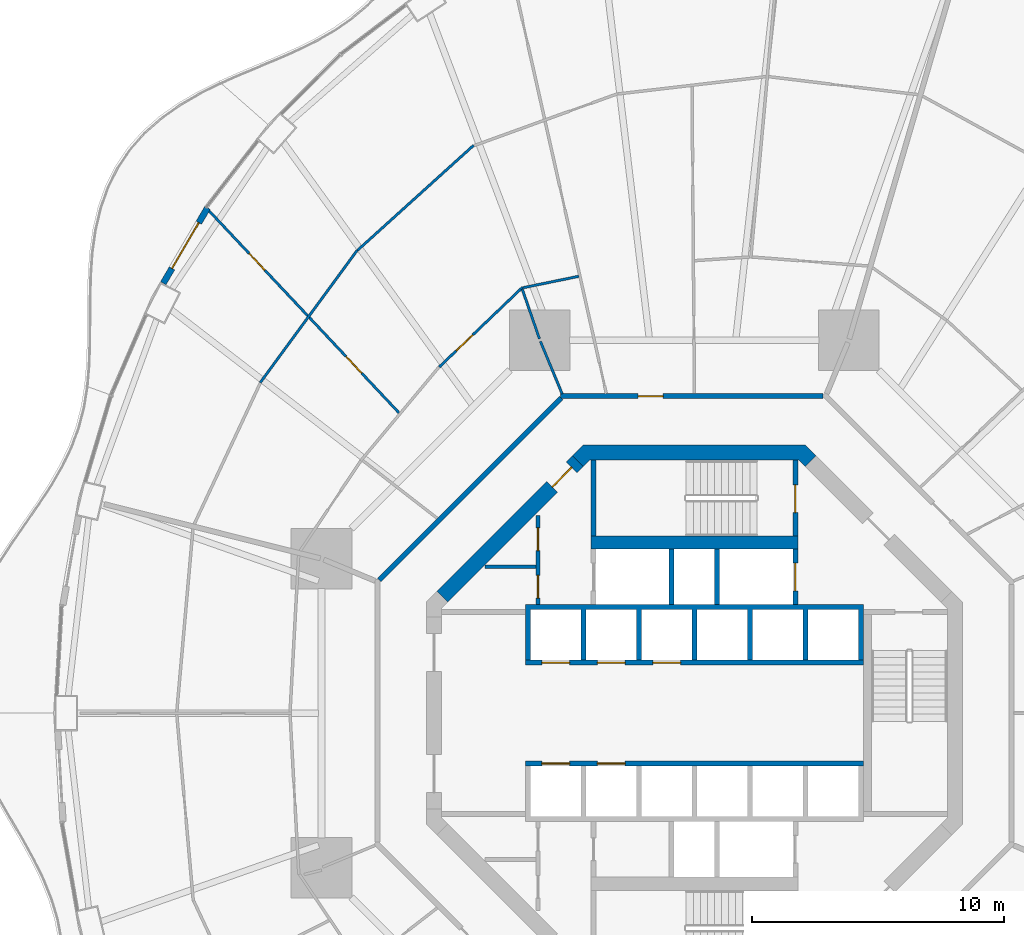
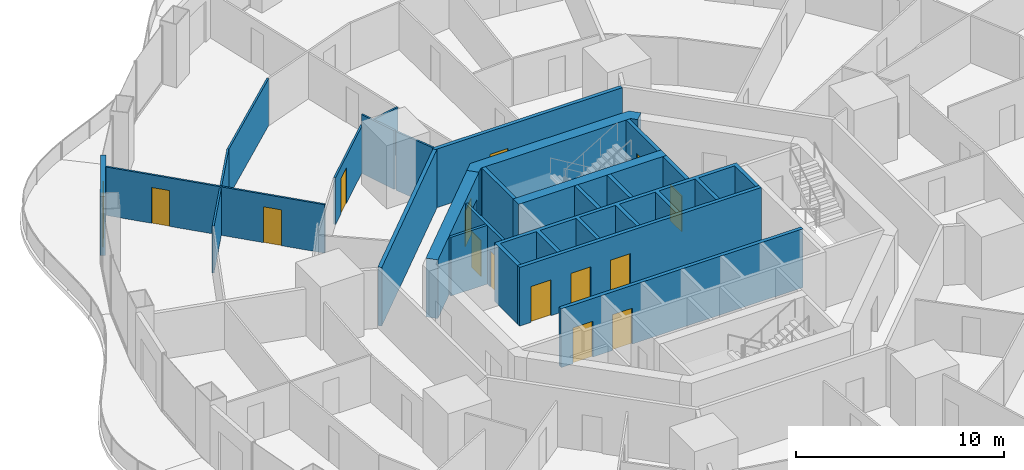
# One storey, part 17 of 22: 23 walls, 15 doors, 15 openings.
"""IFC4 building model written with IfcOpenShell, lengths in metres."""

import ifcopenshell
import ifcopenshell.guid

model = None  # the IFC model being written
_history = None  # IfcOwnerHistory: only IFC2X3 demands one
_inside = {}  # id of a spatial element -> (the spatial element, [elements in it])
_under = {}  # id of a project, library or spatial element -> (it, [spatial elements below it])
_declared = {}  # id of a project -> (the project, [libraries it declares])
_typed = {}  # id of a type object -> (the type object, [elements of that type])
_made_of = {}  # id of a material, layer set ... -> (it, [elements and type objects made of it])


def new_model(schema):
    """Start an empty IFC model of exactly this schema.

    Asked for "IFC4X3", IfcOpenShell would pick the latest addendum, in which some entities
    have other attributes; the version numbers below select the first issue.
    IFC2X3 requires an IfcOwnerHistory on every rooted entity: one is made here for all.
    """
    global model, _history
    if schema == "IFC4X3":
        model = ifcopenshell.file(schema_version=(4, 3, 0, 0))
    else:
        model = ifcopenshell.file(schema=schema)
    _inside.clear()
    _under.clear()
    _declared.clear()
    _typed.clear()
    _made_of.clear()
    _history = None
    if model.schema == "IFC2X3":
        org = make("IfcOrganization", Name="unknown")
        user = make(
            "IfcPersonAndOrganization",
            ThePerson=make("IfcPerson", FamilyName="unknown"),
            TheOrganization=org,
        )
        app = make(
            "IfcApplication",
            ApplicationDeveloper=org,
            Version="unknown",
            ApplicationFullName="unknown",
            ApplicationIdentifier="unknown",
        )
        _history = make(
            "IfcOwnerHistory",
            OwningUser=user,
            OwningApplication=app,
            ChangeAction="ADDED",
            CreationDate=0,
        )
    return model


def make(cls, **values):
    """One entity of the class cls with the attributes given. An attribute that is None is left unset."""
    return model.create_entity(
        cls, **{name: value for name, value in values.items() if value is not None}
    )


def rooted(cls, **values):
    """An entity with a GlobalId (a new one), such as an element, a storey or a relation."""
    return make(cls, GlobalId=ifcopenshell.guid.new(), OwnerHistory=_history, **values)


def si_unit(unit_type, name, prefix=None):
    """IfcSIUnit, for example si_unit("LENGTHUNIT", "METRE", prefix="MILLI")."""
    return make("IfcSIUnit", UnitType=unit_type, Prefix=prefix, Name=name)


def assignment(units):
    """IfcUnitAssignment: the units of a project."""
    return None if units is None else make("IfcUnitAssignment", Units=units)


def point(xyz):
    """IfcCartesianPoint."""
    return None if xyz is None else make("IfcCartesianPoint", Coordinates=xyz)


def direction(xyz):
    """IfcDirection."""
    return None if xyz is None else make("IfcDirection", DirectionRatios=xyz)


def frame(location, z_axis=None, x_axis=None):
    """IfcAxis2Placement3D, a coordinate frame: its origin and axes. An axis left out is left unset."""
    return make(
        "IfcAxis2Placement3D",
        Location=point(location),
        Axis=direction(z_axis),
        RefDirection=direction(x_axis),
    )


def frame_2d(location, x_axis=None):
    """IfcAxis2Placement2D, a coordinate frame in the plane: its origin and x axis."""
    return make(
        "IfcAxis2Placement2D", Location=point(location), RefDirection=direction(x_axis)
    )


def origin():
    """The frame at (0, 0, 0) with its axes left unset."""
    return frame((0.0, 0.0, 0.0))


def place(relative_to, where):
    """IfcLocalPlacement: puts the frame where relative to a parent placement (None: the world)."""
    return make(
        "IfcLocalPlacement", PlacementRelTo=relative_to, RelativePlacement=where
    )


def context(
    kind, dimensions, precision=None, world=None, true_north=None, identifier=None
):
    """IfcGeometricRepresentationContext, for example the 3D "Model" context."""
    return make(
        "IfcGeometricRepresentationContext",
        ContextIdentifier=identifier,
        ContextType=kind,
        CoordinateSpaceDimension=dimensions,
        Precision=precision,
        WorldCoordinateSystem=world,
        TrueNorth=true_north,
    )


def subcontext(parent, identifier, kind, view, scale=None):
    """IfcGeometricRepresentationSubContext, for example "Body" below "Model"."""
    return make(
        "IfcGeometricRepresentationSubContext",
        ContextIdentifier=identifier,
        ContextType=kind,
        ParentContext=parent,
        TargetScale=scale,
        TargetView=view,
    )


def project(units=None, contexts=None):
    """IfcProject with its units and contexts."""
    return rooted(
        "IfcProject",
        Name="project",
        RepresentationContexts=contexts,
        UnitsInContext=assignment(units),
    )


def spatial(cls, under=None, at=None, **own):
    """A site, building, storey or space (cls), placed at a placement, below another one or the project."""
    s = rooted(cls, ObjectPlacement=at, **own)
    if under is not None:
        _under.setdefault(under.id(), (under, []))[1].append(s)
    return s


def polyline(points):
    """IfcPolyline through the points."""
    return make("IfcPolyline", Points=[point(p) for p in points])


def profile(cls, at=None, kind="AREA", **sizes):
    """A parametric profile (cls). Its sizes go by their IFC names, for example OverallWidth=200.0."""
    return make(cls, ProfileType=kind, Position=at, **sizes)


def rectangle(**sizes):
    """IfcRectangleProfileDef."""
    return profile("IfcRectangleProfileDef", **sizes)


def outline(outer, holes=None, kind="AREA"):
    """IfcArbitraryClosedProfileDef: a profile drawn as a closed curve; with holes, ...WithVoids."""
    if holes is None:
        return make("IfcArbitraryClosedProfileDef", ProfileType=kind, OuterCurve=outer)
    return make(
        "IfcArbitraryProfileDefWithVoids",
        ProfileType=kind,
        OuterCurve=outer,
        InnerCurves=holes,
    )


def extrude(swept, where, along, depth):
    """IfcExtrudedAreaSolid: the profile swept, set in the frame where, extruded along a direction by depth."""
    return make(
        "IfcExtrudedAreaSolid",
        SweptArea=swept,
        Position=where,
        ExtrudedDirection=direction(along),
        Depth=depth,
    )


def shape(context_of_items, identifier, shape_type, items):
    """IfcShapeRepresentation: the items that make up one representation, for example the "Body"."""
    return make(
        "IfcShapeRepresentation",
        ContextOfItems=context_of_items,
        RepresentationIdentifier=identifier,
        RepresentationType=shape_type,
        Items=items,
    )


def material(Name=None, Category=None):
    """IfcMaterial."""
    return make("IfcMaterial", Name=Name, Category=Category)


def layer(
    of_material, thickness, ventilated=None, Name=None, Category=None, Priority=None
):
    """IfcMaterialLayer: one layer of a wall or slab, of a material (None: an air gap)."""
    return make(
        "IfcMaterialLayer",
        Material=of_material,
        LayerThickness=thickness,
        IsVentilated=ventilated,
        Name=Name,
        Category=Category,
        Priority=Priority,
    )


def layer_set(layers, Name=None):
    """IfcMaterialLayerSet."""
    return make("IfcMaterialLayerSet", MaterialLayers=layers, LayerSetName=Name)


def made_of(thing, what):
    """Note that an element or type object is made of a material, layer set ...; save() writes the relation."""
    if what is not None:
        _made_of.setdefault(what.id(), (what, []))[1].append(thing)
    return thing


def type_object(cls, material=None, **own):
    """A type object (cls), such as IfcWallType, which elements share."""
    return made_of(rooted(cls, **own), material)


def element(
    cls,
    number,
    at=None,
    inside=None,
    cuts=None,
    type_object=None,
    material=None,
    context=None,
    identifier="Body",
    shape_type=None,
    held_by="IfcProductDefinitionShape",
    body=None,
    shapes=None,
    **own,
):
    """One element of the class cls, such as IfcWall. Its Tag is "e" and its number.

    at: its placement. inside: the storey or other place that contains it. cuts: it is an
    opening in that element (IfcRelVoidsElement). A single representation is given by context,
    identifier, shape_type and body (its items); several are given by shapes. held_by: the class
    of the entity that holds the representations. save() writes the other relations.
    """
    e = rooted(cls, Tag="e%d" % number, ObjectPlacement=at, **own)
    if body is not None:
        shapes = [shape(context, identifier, shape_type, body)]
    if shapes is not None:
        e.Representation = make(held_by, Representations=shapes)
    if inside is not None:
        _inside.setdefault(inside.id(), (inside, []))[1].append(e)
    if cuts is not None:
        rooted(
            "IfcRelVoidsElement", RelatingBuildingElement=cuts, RelatedOpeningElement=e
        )
    if type_object is not None:
        _typed.setdefault(type_object.id(), (type_object, []))[1].append(e)
    return made_of(e, material)


def fill(opening, filler):
    """IfcRelFillsElement: the door or window that sits in an opening."""
    return rooted(
        "IfcRelFillsElement",
        RelatingOpeningElement=opening,
        RelatedBuildingElement=filler,
    )


def aggregate(whole, parts):
    """IfcRelAggregates: a whole, such as a stair, and the parts it consists of."""
    return rooted("IfcRelAggregates", RelatingObject=whole, RelatedObjects=parts)


def save(model, path):
    """Write the relations noted so far, then the file.

    IfcRelAggregates (storeys below a building ...), IfcRelContainedInSpatialStructure (elements
    in a storey), IfcRelDefinesByType, IfcRelAssociatesMaterial and IfcRelDeclares: one each for
    every whole, place, type object, material and project.
    """
    for whole, parts in _under.values():
        aggregate(whole, parts)
    for where, things in _inside.values():
        rooted(
            "IfcRelContainedInSpatialStructure",
            RelatedElements=things,
            RelatingStructure=where,
        )
    for kind, things in _typed.values():
        rooted("IfcRelDefinesByType", RelatedObjects=things, RelatingType=kind)
    for what, things in _made_of.values():
        rooted("IfcRelAssociatesMaterial", RelatedObjects=things, RelatingMaterial=what)
    for by, libraries in _declared.values():
        rooted("IfcRelDeclares", RelatingContext=by, RelatedDefinitions=libraries)
    model.write(path)


model = new_model("IFC4")

# Units and contexts
model_context = context("Model", 3, precision=1e-05, world=origin(), true_north=direction((0.0, 1.0)))
body_context = subcontext(model_context, "Body", "Model", "MODEL_VIEW")
ifc_project = project(units=[si_unit("LENGTHUNIT", "METRE"), si_unit("AREAUNIT", "SQUARE_METRE"), si_unit("VOLUMEUNIT", "CUBIC_METRE"), si_unit("PLANEANGLEUNIT", "RADIAN"), si_unit("MASSUNIT", "GRAM", prefix="KILO")], contexts=[model_context])

# Site, building, storey
site_placement = place(None, origin())
site = spatial("IfcSite", under=ifc_project, at=site_placement, CompositionType="ELEMENT")
building_placement = place(site_placement, origin())
building = spatial("IfcBuilding", under=site, at=building_placement, Name="Nagisa Residences", CompositionType="ELEMENT")
storey_placement = place(building_placement, frame((0.0, 0.0, 34.39990234375)))
storey = spatial("IfcBuildingStorey", under=building, at=storey_placement, Name="L07", CompositionType="ELEMENT", Elevation=34.39990234375)

# Wall, opening, door
ifc_material_1 = material(Name="Gypsum board on steel studs", Category="steel")
ifc_layer_1 = layer(ifc_material_1, 0.199951171875)
ifc_layer_set_1 = layer_set([ifc_layer_1], Name="Apartment entry wall EI60 200")
wall_type_1 = type_object("IfcWallType", Name="Apartment entry wall EI60 200", PredefinedType="PARTITIONING", material=ifc_layer_set_1)
wall_1_placement = place(storey_placement, frame((5.1044921875, 12.564697265625, 0.0), z_axis=(0.0, 0.0, 1.0), x_axis=(-1.0, 0.0, 0.0)))
wall_1 = element("IfcWall", 1, at=wall_1_placement, inside=storey, type_object=wall_type_1, Name="wall:L07:u10", PredefinedType="PARTITIONING", context=body_context, shape_type="SweptSolid", body=[
    extrude(rectangle(XDim=10.408935546875, YDim=0.199951171875, at=frame_2d((5.20458984375, 0.0))), origin(), (0.0, 0.0, 1.0), 3.440185546875),
])
opening_1_placement = place(wall_1_placement, frame((6.33935546875, 0.0, 0.0)))
opening_1 = element("IfcOpeningElement", 2, at=opening_1_placement, cuts=wall_1, Name="Opening L07-U15", PredefinedType="OPENING", context=body_context, shape_type="SweptSolid", body=[
    extrude(rectangle(XDim=1.0, YDim=2.10009765625, at=frame_2d((0.5, 1.050048828125))), frame((0.0, 0.10986328125, 0.0), z_axis=(0.0, -1.0, 0.0), x_axis=(1.0, 0.0, 0.0)), (0.0, 0.0, 1.0), 0.219970703125),
])
ifc_material_2 = material(Name="Timber fire door set", Category="wood")
door_type_1 = type_object("IfcDoorType", Name="Apartment entry door FD30S 1000x2100", OperationType="NOTDEFINED", PredefinedType="DOOR", material=ifc_material_2)
door_1_placement = place(opening_1_placement, frame((1.0, 0.0, 0.0), x_axis=(-1.0, 0.0, 0.0)))
door_1 = element("IfcDoor", 3, at=door_1_placement, inside=storey, type_object=door_type_1, Name="Entry door, Apartment 07B", OperationType="SINGLE_SWING_RIGHT", OverallHeight=2.10009765625, OverallWidth=1.0, PredefinedType="DOOR", context=body_context, shape_type="SweptSolid", body=[
    extrude(rectangle(XDim=1.0, YDim=2.10009765625, at=frame_2d((0.5, 1.050048828125))), frame((0.0, 0.02490234375, 0.0), z_axis=(0.0, -1.0, 0.0), x_axis=(1.0, 0.0, 0.0)), (0.0, 0.0, 1.0), 0.050048828125),
])
fill(opening_1, door_1)

# Walls
wall_2_placement = place(storey_placement, frame((-5.275146484375, 12.494140625, 0.0), z_axis=(0.0, 0.0, 1.0), x_axis=(-0.707106781187, -0.707106781187, 0.0)))
element("IfcWall", 4, at=wall_2_placement, inside=storey, type_object=wall_type_1, Name="wall:L07:u11", PredefinedType="PARTITIONING", context=body_context, shape_type="SweptSolid", body=[
    extrude(rectangle(XDim=10.209228515625, YDim=0.199951171875, at=frame_2d((5.1044921875, 0.0))), origin(), (0.0, 0.0, 1.0), 3.440185546875),
])
ifc_material_3 = material(Name="Gypsum board on steel studs", Category="steel")
ifc_layer_2 = layer(ifc_material_3, 0.10009765625)
ifc_layer_set_2 = layer_set([ifc_layer_2], Name="Apartment partition 100")
wall_type_2 = type_object("IfcWallType", Name="Apartment partition 100", PredefinedType="PARTITIONING", material=ifc_layer_set_2)
wall_3_placement = place(storey_placement, frame((-4.580322265625, 17.315185546875, 0.0), z_axis=(0.0, 0.0, 1.0), x_axis=(-0.979581941859, -0.201045316246, 0.0)))
element("IfcWall", 5, at=wall_3_placement, inside=storey, type_object=wall_type_2, Name="wall:L07:u45", PredefinedType="PARTITIONING", context=body_context, shape_type="SweptSolid", body=[
    extrude(rectangle(XDim=2.25634765625, YDim=0.10009765625, at=frame_2d((1.128173828125, 0.0))), origin(), (0.0, 0.0, 1.0), 2.756103515625),
])
wall_4_placement = place(storey_placement, frame((-5.24267578125, 12.6572265625, 0.0), z_axis=(0.0, 0.0, 1.0), x_axis=(-0.382719158442, 0.923864733477, 0.0)))
element("IfcWall", 6, at=wall_4_placement, inside=storey, type_object=wall_type_2, Name="wall:L07:u46", PredefinedType="PARTITIONING", context=body_context, shape_type="SweptSolid", body=[
    extrude(rectangle(XDim=2.25, YDim=0.10009765625, at=frame_2d((1.125, 0.0))), origin(), (0.0, 0.0, 1.0), 3.440185546875),
])
wall_5_placement = place(storey_placement, frame((-6.139404296875, 14.829833984375, 0.0), z_axis=(0.0, 0.0, 1.0), x_axis=(-0.327246993321, 0.944938836837, 0.0)))
element("IfcWall", 7, at=wall_5_placement, inside=storey, type_object=wall_type_2, Name="wall:L07:u47", PredefinedType="PARTITIONING", context=body_context, shape_type="SweptSolid", body=[
    extrude(rectangle(XDim=2.089599609375, YDim=0.10009765625, at=frame_2d((1.044921875, 0.0))), origin(), (0.0, 0.0, 1.0), 3.440185546875),
])

# Wall, opening, door
wall_6_placement = place(storey_placement, frame((-6.803466796875, 16.88623046875, 0.0), z_axis=(0.0, 0.0, 1.0), x_axis=(-0.722763212502, -0.69109575216, 0.0)))
wall_6 = element("IfcWall", 8, at=wall_6_placement, inside=storey, type_object=wall_type_2, Name="wall:L07:u48", PredefinedType="PARTITIONING", context=body_context, shape_type="SweptSolid", body=[
    extrude(rectangle(XDim=4.587158203125, YDim=0.10009765625, at=frame_2d((2.29345703125, 0.0))), origin(), (0.0, 0.0, 1.0), 2.756103515625),
])
opening_2_placement = place(wall_6_placement, frame((2.74951171875, 0.0, 0.0)))
opening_2 = element("IfcOpeningElement", 9, at=opening_2_placement, cuts=wall_6, Name="Opening L07-U26", PredefinedType="OPENING", context=body_context, shape_type="SweptSolid", body=[
    extrude(rectangle(XDim=0.89990234375, YDim=2.10009765625, at=frame_2d((0.449951171875, 1.050048828125))), frame((0.0, 0.06005859375, 0.0), z_axis=(0.0, -1.0, 0.0), x_axis=(1.0, 0.0, 0.0)), (0.0, 0.0, 1.0), 0.1201171875),
])
ifc_material_4 = material(Name="Timber door set", Category="wood")
door_type_2 = type_object("IfcDoorType", Name="Apartment door 900x2100", OperationType="NOTDEFINED", PredefinedType="DOOR", material=ifc_material_4)
door_2_placement = place(opening_2_placement, origin())
door_2 = element("IfcDoor", 10, at=door_2_placement, inside=storey, type_object=door_type_2, Name="Door to store, Apartment 07B", OperationType="SINGLE_SWING_RIGHT", OverallHeight=2.10009765625, OverallWidth=0.89990234375, PredefinedType="DOOR", context=body_context, shape_type="SweptSolid", body=[
    extrude(rectangle(XDim=0.89990234375, YDim=2.10009765625, at=frame_2d((0.449951171875, 1.050048828125))), frame((0.0, 0.02490234375, 0.0), z_axis=(0.0, -1.0, 0.0), x_axis=(1.0, 0.0, 0.0)), (0.0, 0.0, 1.0), 0.050048828125),
])
fill(opening_2, door_2)

# Walls
wall_7_placement = place(storey_placement, frame((-8.749267578125, 22.5078125, 0.0), z_axis=(0.0, 0.0, 1.0), x_axis=(-0.741720189244, -0.670709445936, 0.0)))
element("IfcWall", 11, at=wall_7_placement, inside=storey, type_object=wall_type_2, Name="wall:L07:u49", PredefinedType="PARTITIONING", context=body_context, shape_type="SweptSolid", body=[
    extrude(rectangle(XDim=6.209228515625, YDim=0.10009765625, at=frame_2d((3.1044921875, 0.0))), origin(), (0.0, 0.0, 1.0), 2.756103515625),
])
wall_8_placement = place(storey_placement, frame((-13.3623046875, 18.35009765625, 0.0), z_axis=(0.0, 0.0, 1.0), x_axis=(-0.591191311491, -0.806531359104, 0.0)))
element("IfcWall", 12, at=wall_8_placement, inside=storey, type_object=wall_type_2, Name="wall:L07:u51", PredefinedType="PARTITIONING", context=body_context, shape_type="SweptSolid", body=[
    extrude(rectangle(XDim=6.510009765625, YDim=0.10009765625, at=frame_2d((3.2548828125, 0.0))), origin(), (0.0, 0.0, 1.0), 2.756103515625),
])

# Wall, openings, doors
wall_9_placement = place(storey_placement, frame((-11.706787109375, 11.89990234375, 0.0), z_axis=(0.0, 0.0, 1.0), x_axis=(-0.685030806147, 0.728514100501, 0.0)))
wall_9 = element("IfcWall", 13, at=wall_9_placement, inside=storey, type_object=wall_type_2, Name="wall:L07:u52", PredefinedType="PARTITIONING", context=body_context, shape_type="SweptSolid", body=[
    extrude(rectangle(XDim=11.201171875, YDim=0.10009765625, at=frame_2d((5.6005859375, 0.0))), origin(), (0.0, 0.0, 1.0), 2.837158203125),
])
opening_3_placement = place(wall_9_placement, frame((2.16943359375, 0.0, 0.0)))
opening_3 = element("IfcOpeningElement", 14, at=opening_3_placement, cuts=wall_9, Name="Opening L07-U21", PredefinedType="OPENING", context=body_context, shape_type="SweptSolid", body=[
    extrude(rectangle(XDim=0.89990234375, YDim=2.10009765625, at=frame_2d((0.449951171875, 1.050048828125))), frame((0.0, 0.06005859375, 0.0), z_axis=(0.0, -1.0, 0.0), x_axis=(1.0, 0.0, 0.0)), (0.0, 0.0, 1.0), 0.1201171875),
])
opening_4_placement = place(wall_9_placement, frame((7.77001953125, 0.0, 0.0)))
opening_4 = element("IfcOpeningElement", 15, at=opening_4_placement, cuts=wall_9, Name="Opening L07-U25", PredefinedType="OPENING", context=body_context, shape_type="SweptSolid", body=[
    extrude(rectangle(XDim=0.89990234375, YDim=2.10009765625, at=frame_2d((0.449951171875, 1.050048828125))), frame((0.0, 0.06005859375, 0.0), z_axis=(0.0, -1.0, 0.0), x_axis=(1.0, 0.0, 0.0)), (0.0, 0.0, 1.0), 0.1201171875),
])
door_3_placement = place(opening_3_placement, origin())
door_3 = element("IfcDoor", 16, at=door_3_placement, inside=storey, type_object=door_type_2, Name="Door to study, Apartment 07B", OperationType="SINGLE_SWING_LEFT", OverallHeight=2.10009765625, OverallWidth=0.89990234375, PredefinedType="DOOR", context=body_context, shape_type="SweptSolid", body=[
    extrude(rectangle(XDim=0.89990234375, YDim=2.10009765625, at=frame_2d((0.449951171875, 1.050048828125))), frame((0.0, 0.02490234375, 0.0), z_axis=(0.0, -1.0, 0.0), x_axis=(1.0, 0.0, 0.0)), (0.0, 0.0, 1.0), 0.050048828125),
])
fill(opening_3, door_3)
door_4_placement = place(opening_4_placement, origin())
door_4 = element("IfcDoor", 17, at=door_4_placement, inside=storey, type_object=door_type_2, Name="Door to master bedroom, Apartment 07B", OperationType="SINGLE_SWING_LEFT", OverallHeight=2.10009765625, OverallWidth=0.89990234375, PredefinedType="DOOR", context=body_context, shape_type="SweptSolid", body=[
    extrude(rectangle(XDim=0.89990234375, YDim=2.10009765625, at=frame_2d((0.449951171875, 1.050048828125))), frame((0.0, 0.02490234375, 0.0), z_axis=(0.0, -1.0, 0.0), x_axis=(1.0, 0.0, 0.0)), (0.0, 0.0, 1.0), 0.050048828125),
])
fill(opening_4, door_4)

# Wall, opening, door
ifc_material_5 = material(Name="Precast concrete C40/50", Category="concrete")
ifc_layer_3 = layer(ifc_material_5, 0.25)
ifc_layer_set_3 = layer_set([ifc_layer_3], Name="BALCONY DOOR WALL 250")
wall_type_3 = type_object("IfcWallType", Name="BALCONY DOOR WALL 250", PredefinedType="SOLIDWALL", material=ifc_layer_set_3)
wall_10_placement = place(storey_placement, frame((-21.052490234375, 17.040283203125, 0.0), z_axis=(0.0, 0.0, 1.0), x_axis=(0.506311160839, 0.862350861546, 0.0)))
wall_10 = element("IfcWall", 18, at=wall_10_placement, inside=storey, type_object=wall_type_3, Name="wall:L07:bay19", PredefinedType="SOLIDWALL", context=body_context, shape_type="SweptSolid", body=[
    extrude(rectangle(XDim=3.462158203125, YDim=0.25, at=frame_2d((1.73095703125, 0.0))), origin(), (0.0, 0.0, 1.0), 3.440185546875),
])
opening_5_placement = place(wall_10_placement, frame((0.68115234375, 0.0, 0.0)))
opening_5 = element("IfcOpeningElement", 19, at=opening_5_placement, cuts=wall_10, Name="Opening BD-L07-07", PredefinedType="OPENING", context=body_context, shape_type="SweptSolid", body=[
    extrude(rectangle(XDim=2.10009765625, YDim=2.39990234375, at=frame_2d((1.050048828125, 1.199951171875))), frame((0.0, 0.135009765625, 0.0), z_axis=(0.0, -1.0, 0.0), x_axis=(1.0, 0.0, 0.0)), (0.0, 0.0, 1.0), 0.27001953125),
])
ifc_material_6 = material(Name="Aluminium and clear glass", Category="aluminium")
door_type_3 = type_object("IfcDoorType", Name="BALCONY SLIDING DOOR 2100x2400", OperationType="SLIDING_TO_LEFT", PredefinedType="DOOR", material=ifc_material_6)
door_5_placement = place(opening_5_placement, origin())
door_5 = element("IfcDoor", 20, at=door_5_placement, inside=storey, type_object=door_type_3, Name="door:L07:bay19", OperationType="SLIDING_TO_LEFT", OverallHeight=2.39990234375, OverallWidth=2.10009765625, PredefinedType="DOOR", context=body_context, shape_type="SweptSolid", body=[
    extrude(rectangle(XDim=2.10009765625, YDim=2.39990234375, at=frame_2d((1.050048828125, 1.199951171875))), frame((0.0, 0.02490234375, 0.0), z_axis=(0.0, -1.0, 0.0), x_axis=(1.0, 0.0, 0.0)), (0.0, 0.0, 1.0), 0.050048828125),
])
fill(opening_5, door_5)

# Wall, openings, doors
ifc_material_7 = material(Name="Gypsum board on steel studs", Category="steel")
ifc_layer_4 = layer(ifc_material_7, 0.14990234375)
ifc_layer_set_4 = layer_set([ifc_layer_4], Name="Core partition 150")
wall_type_4 = type_object("IfcWallType", Name="Core partition 150", PredefinedType="PARTITIONING", material=ifc_layer_set_4)
wall_11_placement = place(storey_placement, frame((-6.199951171875, 4.300048828125, 0.0), z_axis=(0.0, 0.0, 1.0), x_axis=(0.0, 1.0, 0.0)))
wall_11 = element("IfcWall", 21, at=wall_11_placement, inside=storey, type_object=wall_type_4, Name="wall:L07:NWp", PredefinedType="PARTITIONING", context=body_context, shape_type="SweptSolid", body=[
    extrude(rectangle(XDim=3.52685546875, YDim=0.14990234375, at=frame_2d((1.763427734375, 0.0))), origin(), (0.0, 0.0, 1.0), 3.440185546875),
])
opening_6_placement = place(wall_11_placement, frame((0.262451171875, 0.0, 0.0)))
opening_6 = element("IfcOpeningElement", 22, at=opening_6_placement, cuts=wall_11, Name="Opening L07-C12", PredefinedType="OPENING", context=body_context, shape_type="SweptSolid", body=[
    extrude(rectangle(XDim=0.89990234375, YDim=2.10009765625, at=frame_2d((0.449951171875, 1.050048828125))), frame((0.0, 0.0849609375, 0.0), z_axis=(0.0, -1.0, 0.0), x_axis=(1.0, 0.0, 0.0)), (0.0, 0.0, 1.0), 0.169921875),
])
opening_7_placement = place(wall_11_placement, frame((2.138427734375, 0.0, 0.0)))
opening_7 = element("IfcOpeningElement", 23, at=opening_7_placement, cuts=wall_11, Name="Opening L07-C13", PredefinedType="OPENING", context=body_context, shape_type="SweptSolid", body=[
    extrude(rectangle(XDim=0.89990234375, YDim=2.10009765625, at=frame_2d((0.449951171875, 1.050048828125))), frame((0.0, 0.0849609375, 0.0), z_axis=(0.0, -1.0, 0.0), x_axis=(1.0, 0.0, 0.0)), (0.0, 0.0, 1.0), 0.169921875),
])
ifc_material_8 = material(Name="Steel fire door", Category="steel")
door_type_4 = type_object("IfcDoorType", Name="Fire door EI30 900x2100 single swing", OperationType="NOTDEFINED", PredefinedType="DOOR", material=ifc_material_8)
door_6_placement = place(opening_6_placement, origin())
door_6 = element("IfcDoor", 24, at=door_6_placement, inside=storey, type_object=door_type_4, Name="Hose reel room door L07", OperationType="SINGLE_SWING_RIGHT", OverallHeight=2.10009765625, OverallWidth=0.89990234375, PredefinedType="DOOR", context=body_context, shape_type="SweptSolid", body=[
    extrude(rectangle(XDim=0.89990234375, YDim=2.10009765625, at=frame_2d((0.449951171875, 1.050048828125))), frame((0.0, 0.02490234375, 0.0), z_axis=(0.0, -1.0, 0.0), x_axis=(1.0, 0.0, 0.0)), (0.0, 0.0, 1.0), 0.050048828125),
])
fill(opening_6, door_6)
door_7_placement = place(opening_7_placement, origin())
door_7 = element("IfcDoor", 25, at=door_7_placement, inside=storey, type_object=door_type_4, Name="Cleaner store door L07", OperationType="SINGLE_SWING_RIGHT", OverallHeight=2.10009765625, OverallWidth=0.89990234375, PredefinedType="DOOR", context=body_context, shape_type="SweptSolid", body=[
    extrude(rectangle(XDim=0.89990234375, YDim=2.10009765625, at=frame_2d((0.449951171875, 1.050048828125))), frame((0.0, 0.02490234375, 0.0), z_axis=(0.0, -1.0, 0.0), x_axis=(1.0, 0.0, 0.0)), (0.0, 0.0, 1.0), 0.050048828125),
])
fill(opening_7, door_7)

# Wall
wall_12_placement = place(storey_placement, frame((-8.301025390625, 5.800048828125, 0.0), z_axis=(0.0, 0.0, 1.0), x_axis=(1.0, 0.0, 0.0)))
element("IfcWall", 26, at=wall_12_placement, inside=storey, type_object=wall_type_4, Name="wall:L07:NWq", PredefinedType="PARTITIONING", context=body_context, shape_type="SweptSolid", body=[
    extrude(rectangle(XDim=2.026123046875, YDim=0.14990234375, at=frame_2d((1.01318359375, 0.0))), origin(), (0.0, 0.0, 1.0), 3.440185546875),
])

# Wall, opening, door
ifc_material_9 = material(Name="Concrete C60", Category="concrete")
ifc_layer_5 = layer(ifc_material_9, 0.60009765625)
ifc_layer_set_5 = layer_set([ifc_layer_5], Name="Core shear wall 600")
wall_type_5 = type_object("IfcWallType", Name="Core shear wall 600", PredefinedType="SHEAR", material=ifc_layer_set_5)
wall_13_placement = place(storey_placement, frame((-4.613037109375, 9.98828125, 0.0), z_axis=(0.0, 0.0, 1.0), x_axis=(-0.707106781187, -0.707106781187, 0.0)))
wall_13 = element("IfcWall", 27, at=wall_13_placement, inside=storey, type_object=wall_type_5, Name="wall:L07:core:flat3", PredefinedType="SHEAR", context=body_context, shape_type="SweptSolid", body=[
    extrude(rectangle(XDim=7.601806640625, YDim=0.60009765625, at=frame_2d((3.80078125, 0.0))), origin(), (0.0, 0.0, 1.0), 3.440185546875),
])
opening_8_placement = place(wall_13_placement, frame((0.350830078125, 0.0, 0.0)))
opening_8 = element("IfcOpeningElement", 28, at=opening_8_placement, cuts=wall_13, Name="Opening L07-C21", PredefinedType="OPENING", context=body_context, shape_type="SweptSolid", body=[
    extrude(rectangle(XDim=1.10009765625, YDim=2.10009765625, at=frame_2d((0.550048828125, 1.050048828125))), frame((0.0, 0.31005859375, 0.0), z_axis=(0.0, -1.0, 0.0), x_axis=(1.0, 0.0, 0.0)), (0.0, 0.0, 1.0), 0.6201171875),
])
ifc_material_10 = material(Name="Steel fire door", Category="steel")
door_type_5 = type_object("IfcDoorType", Name="Fire door EI60 1100x2100 single swing", OperationType="NOTDEFINED", PredefinedType="DOOR", material=ifc_material_10)
door_8_placement = place(opening_8_placement, origin())
door_8 = element("IfcDoor", 29, at=door_8_placement, inside=storey, type_object=door_type_5, Name="Service lobby door L07", OperationType="SINGLE_SWING_RIGHT", OverallHeight=2.10009765625, OverallWidth=1.10009765625, PredefinedType="DOOR", context=body_context, shape_type="SweptSolid", body=[
    extrude(rectangle(XDim=1.10009765625, YDim=2.10009765625, at=frame_2d((0.550048828125, 1.050048828125))), frame((0.0, 0.02490234375, 0.0), z_axis=(0.0, -1.0, 0.0), x_axis=(1.0, 0.0, 0.0)), (0.0, 0.0, 1.0), 0.050048828125),
])
fill(opening_8, door_8)

# Wall
wall_14_placement = place(storey_placement, origin())
element("IfcWall", 30, at=wall_14_placement, inside=storey, type_object=wall_type_5, Name="wall:L07:core:flat2", PredefinedType="SHEAR", context=body_context, shape_type="SweptSolid", body=[
    extrude(outline(polyline([(-4.15234375, 10.024658203125), (-4.40087890625, 9.776123046875), (-4.8251953125, 10.200439453125), (-4.40087890625, 10.62451171875), (4.40087890625, 10.62451171875), (4.8251953125, 10.200439453125), (4.40087890625, 9.776123046875), (4.15234375, 10.024658203125), (-4.15234375, 10.024658203125)])), origin(), (0.0, 0.0, 1.0), 3.440185546875),
])

# Wall, opening, door
ifc_material_11 = material(Name="Concrete C60", Category="concrete")
ifc_layer_6 = layer(ifc_material_11, 0.199951171875)
ifc_layer_set_6 = layer_set([ifc_layer_6], Name="Lift shaft wall 200")
wall_type_6 = type_object("IfcWallType", Name="Lift shaft wall 200", PredefinedType="SOLIDWALL", material=ifc_layer_set_6)
wall_15_placement = place(storey_placement, frame((4.0, 4.300048828125, 0.0), z_axis=(0.0, 0.0, 1.0), x_axis=(0.0, 1.0, 0.0)))
wall_15 = element("IfcWall", 31, at=wall_15_placement, inside=storey, type_object=wall_type_6, Name="wall:L07:Nb3", PredefinedType="SOLIDWALL", context=body_context, shape_type="SweptSolid", body=[
    extrude(rectangle(XDim=2.199951171875, YDim=0.199951171875, at=frame_2d((1.10009765625, 0.0))), origin(), (0.0, 0.0, 1.0), 3.440185546875),
])
opening_9_placement = place(wall_15_placement, frame((0.550048828125, 0.0, 0.0)))
opening_9 = element("IfcOpeningElement", 32, at=opening_9_placement, cuts=wall_15, Name="Opening L07-C06", PredefinedType="OPENING", context=body_context, shape_type="SweptSolid", body=[
    extrude(rectangle(XDim=1.10009765625, YDim=2.10009765625, at=frame_2d((0.550048828125, 1.050048828125))), frame((0.0, 0.10986328125, 0.0), z_axis=(0.0, -1.0, 0.0), x_axis=(1.0, 0.0, 0.0)), (0.0, 0.0, 1.0), 0.219970703125),
])
ifc_material_12 = material(Name="Stainless steel", Category="steel")
door_type_6 = type_object("IfcDoorType", Name="Lift landing door 1100x2100", OperationType="DOUBLE_DOOR_SLIDING", PredefinedType="DOOR", material=ifc_material_12)
door_9_placement = place(opening_9_placement, origin())
door_9 = element("IfcDoor", 33, at=door_9_placement, inside=storey, type_object=door_type_6, Name="Landing door FL1 L07", OperationType="DOUBLE_DOOR_SLIDING", OverallHeight=2.10009765625, OverallWidth=1.10009765625, PredefinedType="DOOR", context=body_context, shape_type="SweptSolid", body=[
    extrude(rectangle(XDim=1.10009765625, YDim=2.10009765625, at=frame_2d((0.550048828125, 1.050048828125))), frame((0.0, 0.02490234375, 0.0), z_axis=(0.0, -1.0, 0.0), x_axis=(1.0, 0.0, 0.0)), (0.0, 0.0, 1.0), 0.050048828125),
])
fill(opening_9, door_9)

# Wall, openings, doors
wall_16_placement = place(storey_placement, frame((-6.699951171875, 2.0, 0.0), z_axis=(0.0, 0.0, 1.0), x_axis=(1.0, 0.0, 0.0)))
wall_16 = element("IfcWall", 34, at=wall_16_placement, inside=storey, type_object=wall_type_6, Name="wall:L07:Nfront", PredefinedType="SOLIDWALL", context=body_context, shape_type="SweptSolid", body=[
    extrude(rectangle(XDim=13.39990234375, YDim=0.199951171875, at=frame_2d((6.699951171875, 0.0))), origin(), (0.0, 0.0, 1.0), 3.440185546875),
])
opening_10_placement = place(wall_16_placement, frame((0.64990234375, 0.0, 0.0)))
opening_10 = element("IfcOpeningElement", 35, at=opening_10_placement, cuts=wall_16, Name="Opening L07-C01", PredefinedType="OPENING", context=body_context, shape_type="SweptSolid", body=[
    extrude(rectangle(XDim=1.10009765625, YDim=2.10009765625, at=frame_2d((0.550048828125, 1.050048828125))), frame((0.0, 0.10986328125, 0.0), z_axis=(0.0, -1.0, 0.0), x_axis=(1.0, 0.0, 0.0)), (0.0, 0.0, 1.0), 0.219970703125),
])
opening_11_placement = place(wall_16_placement, frame((2.85009765625, 0.0, 0.0)))
opening_11 = element("IfcOpeningElement", 36, at=opening_11_placement, cuts=wall_16, Name="Opening L07-C02", PredefinedType="OPENING", context=body_context, shape_type="SweptSolid", body=[
    extrude(rectangle(XDim=1.10009765625, YDim=2.10009765625, at=frame_2d((0.550048828125, 1.050048828125))), frame((0.0, 0.10986328125, 0.0), z_axis=(0.0, -1.0, 0.0), x_axis=(1.0, 0.0, 0.0)), (0.0, 0.0, 1.0), 0.219970703125),
])
opening_12_placement = place(wall_16_placement, frame((5.050048828125, 0.0, 0.0)))
opening_12 = element("IfcOpeningElement", 37, at=opening_12_placement, cuts=wall_16, Name="Opening L07-C03", PredefinedType="OPENING", context=body_context, shape_type="SweptSolid", body=[
    extrude(rectangle(XDim=1.10009765625, YDim=2.10009765625, at=frame_2d((0.550048828125, 1.050048828125))), frame((0.0, 0.10986328125, 0.0), z_axis=(0.0, -1.0, 0.0), x_axis=(1.0, 0.0, 0.0)), (0.0, 0.0, 1.0), 0.219970703125),
])
door_10_placement = place(opening_10_placement, origin())
door_10 = element("IfcDoor", 38, at=door_10_placement, inside=storey, type_object=door_type_6, Name="Landing door A1 L07", OperationType="DOUBLE_DOOR_SLIDING", OverallHeight=2.10009765625, OverallWidth=1.10009765625, PredefinedType="DOOR", context=body_context, shape_type="SweptSolid", body=[
    extrude(rectangle(XDim=1.10009765625, YDim=2.10009765625, at=frame_2d((0.550048828125, 1.050048828125))), frame((0.0, 0.02490234375, 0.0), z_axis=(0.0, -1.0, 0.0), x_axis=(1.0, 0.0, 0.0)), (0.0, 0.0, 1.0), 0.050048828125),
])
fill(opening_10, door_10)
door_11_placement = place(opening_11_placement, origin())
door_11 = element("IfcDoor", 39, at=door_11_placement, inside=storey, type_object=door_type_6, Name="Landing door A2 L07", OperationType="DOUBLE_DOOR_SLIDING", OverallHeight=2.10009765625, OverallWidth=1.10009765625, PredefinedType="DOOR", context=body_context, shape_type="SweptSolid", body=[
    extrude(rectangle(XDim=1.10009765625, YDim=2.10009765625, at=frame_2d((0.550048828125, 1.050048828125))), frame((0.0, 0.02490234375, 0.0), z_axis=(0.0, -1.0, 0.0), x_axis=(1.0, 0.0, 0.0)), (0.0, 0.0, 1.0), 0.050048828125),
])
fill(opening_11, door_11)
door_12_placement = place(opening_12_placement, origin())
door_12 = element("IfcDoor", 40, at=door_12_placement, inside=storey, type_object=door_type_6, Name="Landing door A3 L07", OperationType="DOUBLE_DOOR_SLIDING", OverallHeight=2.10009765625, OverallWidth=1.10009765625, PredefinedType="DOOR", context=body_context, shape_type="SweptSolid", body=[
    extrude(rectangle(XDim=1.10009765625, YDim=2.10009765625, at=frame_2d((0.550048828125, 1.050048828125))), frame((0.0, 0.02490234375, 0.0), z_axis=(0.0, -1.0, 0.0), x_axis=(1.0, 0.0, 0.0)), (0.0, 0.0, 1.0), 0.050048828125),
])
fill(opening_12, door_12)

wall_17_placement = place(storey_placement, frame((-6.699951171875, -2.0, 0.0), z_axis=(0.0, 0.0, 1.0), x_axis=(1.0, 0.0, 0.0)))
wall_17 = element("IfcWall", 41, at=wall_17_placement, inside=storey, type_object=wall_type_6, Name="wall:L07:Sfront", PredefinedType="SOLIDWALL", context=body_context, shape_type="SweptSolid", body=[
    extrude(rectangle(XDim=13.39990234375, YDim=0.199951171875, at=frame_2d((6.699951171875, 0.0))), origin(), (0.0, 0.0, 1.0), 3.440185546875),
])
opening_13_placement = place(wall_17_placement, frame((0.64990234375, 0.0, 0.0)))
opening_13 = element("IfcOpeningElement", 42, at=opening_13_placement, cuts=wall_17, Name="Opening L07-C04", PredefinedType="OPENING", context=body_context, shape_type="SweptSolid", body=[
    extrude(rectangle(XDim=1.10009765625, YDim=2.10009765625, at=frame_2d((0.550048828125, 1.050048828125))), frame((0.0, 0.10986328125, 0.0), z_axis=(0.0, -1.0, 0.0), x_axis=(1.0, 0.0, 0.0)), (0.0, 0.0, 1.0), 0.219970703125),
])
opening_14_placement = place(wall_17_placement, frame((2.85009765625, 0.0, 0.0)))
opening_14 = element("IfcOpeningElement", 43, at=opening_14_placement, cuts=wall_17, Name="Opening L07-C05", PredefinedType="OPENING", context=body_context, shape_type="SweptSolid", body=[
    extrude(rectangle(XDim=1.10009765625, YDim=2.10009765625, at=frame_2d((0.550048828125, 1.050048828125))), frame((0.0, 0.10986328125, 0.0), z_axis=(0.0, -1.0, 0.0), x_axis=(1.0, 0.0, 0.0)), (0.0, 0.0, 1.0), 0.219970703125),
])
door_13_placement = place(opening_13_placement, origin())
door_13 = element("IfcDoor", 44, at=door_13_placement, inside=storey, type_object=door_type_6, Name="Landing door A4 L07", OperationType="DOUBLE_DOOR_SLIDING", OverallHeight=2.10009765625, OverallWidth=1.10009765625, PredefinedType="DOOR", context=body_context, shape_type="SweptSolid", body=[
    extrude(rectangle(XDim=1.10009765625, YDim=2.10009765625, at=frame_2d((0.550048828125, 1.050048828125))), frame((0.0, 0.02490234375, 0.0), z_axis=(0.0, -1.0, 0.0), x_axis=(1.0, 0.0, 0.0)), (0.0, 0.0, 1.0), 0.050048828125),
])
fill(opening_13, door_13)
door_14_placement = place(opening_14_placement, origin())
door_14 = element("IfcDoor", 45, at=door_14_placement, inside=storey, type_object=door_type_6, Name="Landing door A5 L07", OperationType="DOUBLE_DOOR_SLIDING", OverallHeight=2.10009765625, OverallWidth=1.10009765625, PredefinedType="DOOR", context=body_context, shape_type="SweptSolid", body=[
    extrude(rectangle(XDim=1.10009765625, YDim=2.10009765625, at=frame_2d((0.550048828125, 1.050048828125))), frame((0.0, 0.02490234375, 0.0), z_axis=(0.0, -1.0, 0.0), x_axis=(1.0, 0.0, 0.0)), (0.0, 0.0, 1.0), 0.050048828125),
])
fill(opening_14, door_14)

# Walls
for number, where, z_axis, x_axis, name in (
    (46, (-0.89990234375, 4.300048828125, 0.0), (0.0, 0.0, 1.0), (0.0, 1.0, 0.0), "wall:L07:Nb1"),
    (47, (0.89990234375, 4.300048828125, 0.0), (0.0, 0.0, 1.0), (0.0, 1.0, 0.0), "wall:L07:Nb2"),
):
    element("IfcWall", number, at=place(storey_placement, frame(where, z_axis=z_axis, x_axis=x_axis)), inside=storey, type_object=wall_type_6, Name=name, PredefinedType="SOLIDWALL", context=body_context, shape_type="SweptSolid", body=[
        extrude(rectangle(XDim=2.199951171875, YDim=0.199951171875, at=frame_2d((1.10009765625, 0.0))), origin(), (0.0, 0.0, 1.0), 3.440185546875),
    ])
wall_18_placement = place(storey_placement, origin())
element("IfcWall", 48, at=wall_18_placement, inside=storey, type_object=wall_type_6, Name="wall:L07:Nback", PredefinedType="SOLIDWALL", context=body_context, shape_type="SweptSolid", body=[
    extrude(outline(polyline([(-6.5, 2.10009765625), (-6.699951171875, 2.10009765625), (-6.699951171875, 4.300048828125), (6.699951171875, 4.300048828125), (6.699951171875, 2.10009765625), (6.5, 2.10009765625), (6.5, 4.10009765625), (4.5, 4.10009765625), (4.5, 2.10009765625), (4.300048828125, 2.10009765625), (4.300048828125, 4.10009765625), (2.300048828125, 4.10009765625), (2.300048828125, 2.10009765625), (2.10009765625, 2.10009765625), (2.10009765625, 4.10009765625), (0.10009765625, 4.10009765625), (0.10009765625, 2.10009765625), (-0.10009765625, 2.10009765625), (-0.10009765625, 4.10009765625), (-2.10009765625, 4.10009765625), (-2.10009765625, 2.10009765625), (-2.300048828125, 2.10009765625), (-2.300048828125, 4.10009765625), (-4.300048828125, 4.10009765625), (-4.300048828125, 2.10009765625), (-4.5, 2.10009765625), (-4.5, 4.10009765625), (-6.5, 4.10009765625), (-6.5, 2.10009765625)])), origin(), (0.0, 0.0, 1.0), 3.440185546875),
])

# Wall, opening, door
ifc_material_13 = material(Name="Concrete C60", Category="concrete")
ifc_layer_7 = layer(ifc_material_13, 0.199951171875)
ifc_layer_set_7 = layer_set([ifc_layer_7], Name="Stair enclosure wall 200")
wall_type_7 = type_object("IfcWallType", Name="Stair enclosure wall 200", PredefinedType="SOLIDWALL", material=ifc_layer_set_7)
wall_19_placement = place(storey_placement, frame((4.0, 7.024658203125, 0.0), z_axis=(0.0, 0.0, 1.0), x_axis=(0.0, 1.0, 0.0)))
wall_19 = element("IfcWall", 49, at=wall_19_placement, inside=storey, type_object=wall_type_7, Name="wall:L07:SN_e", PredefinedType="SOLIDWALL", context=body_context, shape_type="SweptSolid", body=[
    extrude(rectangle(XDim=3.0, YDim=0.199951171875, at=frame_2d((1.5, 0.0))), origin(), (0.0, 0.0, 1.0), 3.440185546875),
])
opening_15_placement = place(wall_19_placement, frame((0.92529296875, 0.0, 0.0)))
opening_15 = element("IfcOpeningElement", 50, at=opening_15_placement, cuts=wall_19, Name="Opening L07-C10", PredefinedType="OPENING", context=body_context, shape_type="SweptSolid", body=[
    extrude(rectangle(XDim=1.10009765625, YDim=2.10009765625, at=frame_2d((0.550048828125, 1.050048828125))), frame((0.0, 0.10986328125, 0.0), z_axis=(0.0, -1.0, 0.0), x_axis=(1.0, 0.0, 0.0)), (0.0, 0.0, 1.0), 0.219970703125),
])
ifc_material_14 = material(Name="Steel fire door", Category="steel")
door_type_7 = type_object("IfcDoorType", Name="Fire door EI90 1100x2100 single swing", OperationType="NOTDEFINED", PredefinedType="DOOR", material=ifc_material_14)
door_15_placement = place(opening_15_placement, origin())
door_15 = element("IfcDoor", 51, at=door_15_placement, inside=storey, type_object=door_type_7, Name="Stair door ST-N L07", OperationType="SINGLE_SWING_LEFT", OverallHeight=2.10009765625, OverallWidth=1.10009765625, PredefinedType="DOOR", context=body_context, shape_type="SweptSolid", body=[
    extrude(rectangle(XDim=1.10009765625, YDim=2.10009765625, at=frame_2d((0.550048828125, 1.050048828125))), frame((0.0, 0.02490234375, 0.0), z_axis=(0.0, -1.0, 0.0), x_axis=(1.0, 0.0, 0.0)), (0.0, 0.0, 1.0), 0.050048828125),
])
fill(opening_15, door_15)

# Walls
wall_20_placement = place(storey_placement, origin())
element("IfcWall", 52, at=wall_20_placement, inside=storey, type_object=wall_type_7, Name="wall:L07:SN_w", PredefinedType="SOLIDWALL", context=body_context, shape_type="SweptSolid", body=[
    extrude(outline(polyline([(-3.89990234375, 7.024658203125), (-4.10009765625, 7.024658203125), (-4.10009765625, 10.024658203125), (-3.89990234375, 10.024658203125), (-3.89990234375, 7.024658203125)])), origin(), (0.0, 0.0, 1.0), 3.440185546875),
])
wall_21_placement = place(storey_placement, origin())
element("IfcWall", 53, at=wall_21_placement, inside=storey, type_object=wall_type_7, Name="wall:L07:SN_s", PredefinedType="SOLIDWALL", context=body_context, shape_type="SweptSolid", body=[
    extrude(outline(polyline([(4.10009765625, 6.5), (-4.10009765625, 6.5), (-4.10009765625, 7.024658203125), (4.10009765625, 7.024658203125), (4.10009765625, 6.5)])), origin(), (0.0, 0.0, 1.0), 3.440185546875),
])

save(model, "model.ifc")
